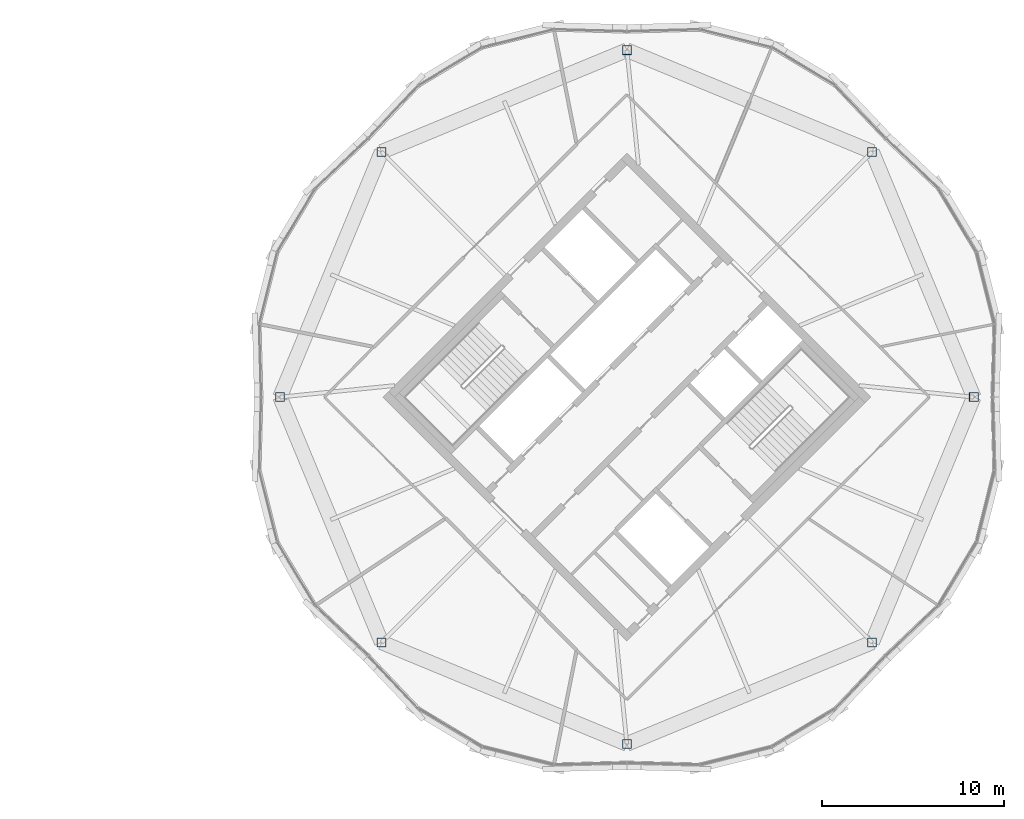
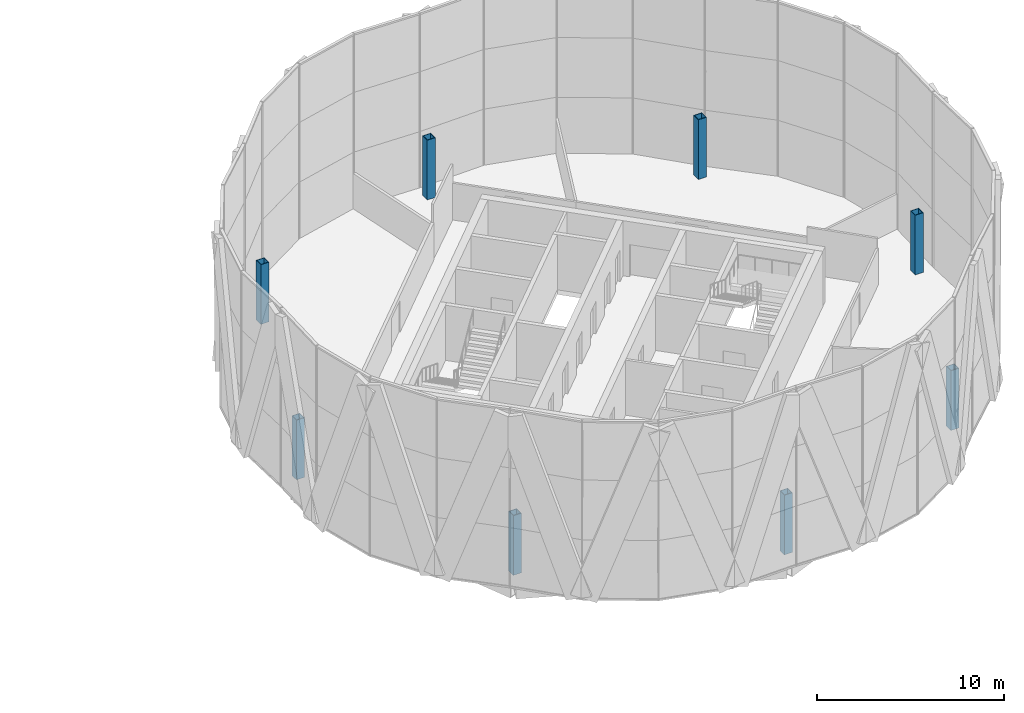
# One storey, part 2 of 22: 8 columns.
"""IFC4 building model written with IfcOpenShell, lengths in metres."""

from ifc_helpers import new_model, si_unit, direction, frame, origin, origin_2d, place, context, subcontext, project, spatial, hollow_rectangle, extrude, material, material_profile, profile_set, type_object, element, save


model = new_model("IFC4")

# Units and contexts
model_context = context("Model", 3, precision=1e-05, world=origin(), true_north=direction((0.0, 1.0)))
body_context = subcontext(model_context, "Body", "Model", "MODEL_VIEW")
ifc_project = project(units=[si_unit("LENGTHUNIT", "METRE"), si_unit("AREAUNIT", "SQUARE_METRE"), si_unit("VOLUMEUNIT", "CUBIC_METRE"), si_unit("PLANEANGLEUNIT", "RADIAN"), si_unit("MASSUNIT", "GRAM", prefix="KILO")], contexts=[model_context])

# Site, building, storey
site_placement = place(None, origin())
site = spatial("IfcSite", under=ifc_project, at=site_placement, CompositionType="ELEMENT")
building_placement = place(site_placement, origin())
building = spatial("IfcBuilding", under=site, at=building_placement, Name="Ogive Gate Towers", CompositionType="ELEMENT")
storey_placement = place(building_placement, frame((0.0, 0.0, 228.89990234375)))
storey = spatial("IfcBuildingStorey", under=building, at=storey_placement, Name="L54", CompositionType="ELEMENT", Elevation=228.89990234375)

# Columns
ifc_material = material(Name="Steel SM460", Category="steel")
ifc_material_profile = material_profile(ifc_material, hollow_rectangle(XDim=0.5, YDim=0.5, WallThickness=0.030029296875, at=origin_2d()), Name="BX 500x500x30")
ifc_profile_set = profile_set([ifc_material_profile], Name="Steel SM460")
column_type = type_object("IfcColumnType", Name="Perimeter post BX 500x500x30", PredefinedType="COLUMN", material=ifc_profile_set)
for number, where, z_axis, x_axis, name in (
    (1, (55.110107421875, 0.0, 0.0), (0.0, 0.0, 1.0), (1.0, 0.0, 0.0), "T2/L54/SCL001"),
    (2, (49.5126953125, 13.5126953125, 0.0), (0.0, 0.0, 1.0), (1.0, 0.0, 0.0), "T2/L54/SCL002"),
    (3, (36.0, 19.110107421875, 0.0), (0.0, 0.0, 1.0), (1.0, 0.0, 0.0), "T2/L54/SCL003"),
    (4, (22.4873046875, 13.5126953125, 0.0), (0.0, 0.0, 1.0), (1.0, 0.0, 0.0), "T2/L54/SCL004"),
    (5, (16.889892578125, 0.0, 0.0), (0.0, 0.0, 1.0), (1.0, 0.0, 0.0), "T2/L54/SCL005"),
    (6, (22.4873046875, -13.5126953125, 0.0), (0.0, 0.0, 1.0), (1.0, 0.0, 0.0), "T2/L54/SCL006"),
    (7, (36.0, -19.110107421875, 0.0), (0.0, 0.0, 1.0), (1.0, 0.0, 0.0), "T2/L54/SCL007"),
    (8, (49.5126953125, -13.5126953125, 0.0), (0.0, 0.0, 1.0), (1.0, 0.0, 0.0), "T2/L54/SCL008"),
):
    element("IfcColumn", number, at=place(storey_placement, frame(where, z_axis=z_axis, x_axis=x_axis)), inside=storey, type_object=column_type, Name=name, PredefinedType="COLUMN", context=body_context, shape_type="SweptSolid", body=[
        extrude(hollow_rectangle(XDim=0.5, YDim=0.5, WallThickness=0.030029296875, at=origin_2d()), origin(), (0.0, 0.0, 1.0), 3.900146484375),
    ])

save(model, "model.ifc")
